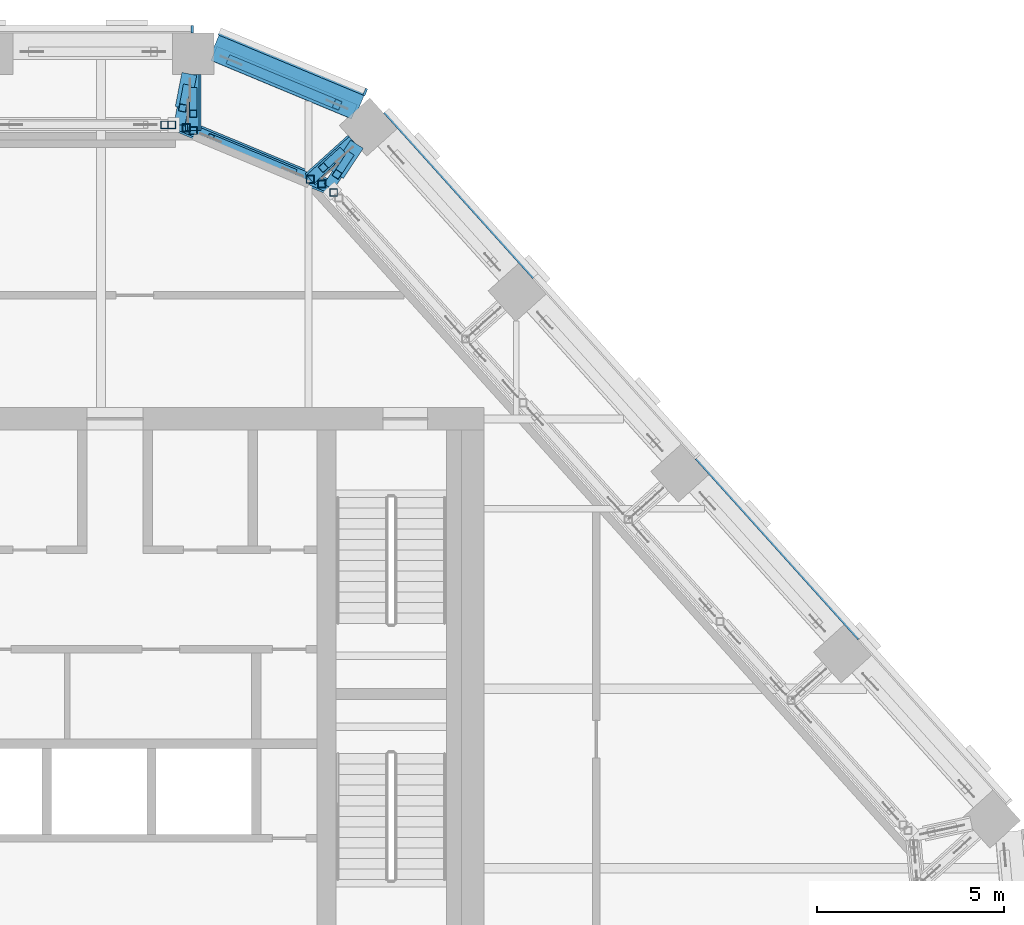
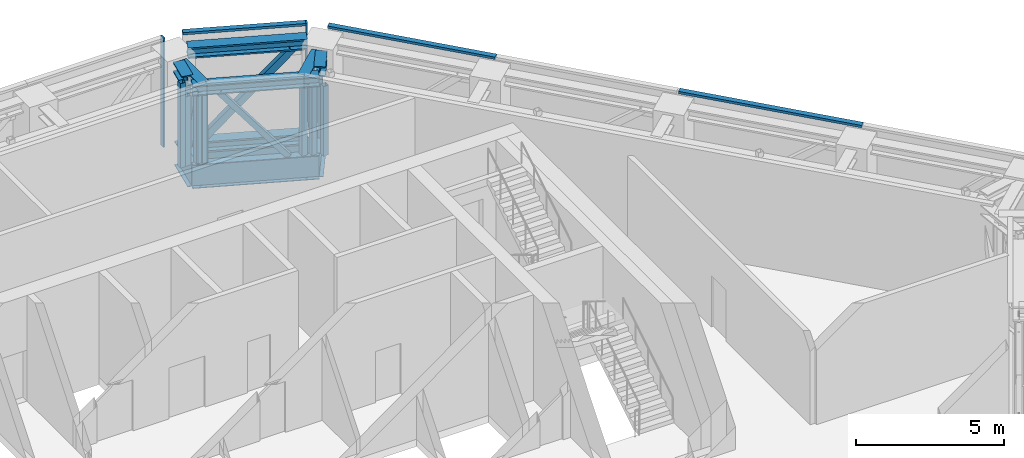
# One storey, part 15 of 25: 30 members, 1 beam, 3 elements without a shape of their own.
"""IFC4 building model written with IfcOpenShell, lengths in metres."""

import ifcopenshell
import ifcopenshell.guid

model = None  # the IFC model being written
_history = None  # IfcOwnerHistory: only IFC2X3 demands one
_inside = {}  # id of a spatial element -> (the spatial element, [elements in it])
_under = {}  # id of a project, library or spatial element -> (it, [spatial elements below it])
_declared = {}  # id of a project -> (the project, [libraries it declares])
_typed = {}  # id of a type object -> (the type object, [elements of that type])
_made_of = {}  # id of a material, layer set ... -> (it, [elements and type objects made of it])


def new_model(schema):
    """Start an empty IFC model of exactly this schema.

    Asked for "IFC4X3", IfcOpenShell would pick the latest addendum, in which some entities
    have other attributes; the version numbers below select the first issue.
    IFC2X3 requires an IfcOwnerHistory on every rooted entity: one is made here for all.
    """
    global model, _history
    if schema == "IFC4X3":
        model = ifcopenshell.file(schema_version=(4, 3, 0, 0))
    else:
        model = ifcopenshell.file(schema=schema)
    _inside.clear()
    _under.clear()
    _declared.clear()
    _typed.clear()
    _made_of.clear()
    _history = None
    if model.schema == "IFC2X3":
        org = make("IfcOrganization", Name="unknown")
        user = make(
            "IfcPersonAndOrganization",
            ThePerson=make("IfcPerson", FamilyName="unknown"),
            TheOrganization=org,
        )
        app = make(
            "IfcApplication",
            ApplicationDeveloper=org,
            Version="unknown",
            ApplicationFullName="unknown",
            ApplicationIdentifier="unknown",
        )
        _history = make(
            "IfcOwnerHistory",
            OwningUser=user,
            OwningApplication=app,
            ChangeAction="ADDED",
            CreationDate=0,
        )
    return model


def make(cls, **values):
    """One entity of the class cls with the attributes given. An attribute that is None is left unset."""
    return model.create_entity(
        cls, **{name: value for name, value in values.items() if value is not None}
    )


def rooted(cls, **values):
    """An entity with a GlobalId (a new one), such as an element, a storey or a relation."""
    return make(cls, GlobalId=ifcopenshell.guid.new(), OwnerHistory=_history, **values)


def si_unit(unit_type, name, prefix=None):
    """IfcSIUnit, for example si_unit("LENGTHUNIT", "METRE", prefix="MILLI")."""
    return make("IfcSIUnit", UnitType=unit_type, Prefix=prefix, Name=name)


def assignment(units):
    """IfcUnitAssignment: the units of a project."""
    return None if units is None else make("IfcUnitAssignment", Units=units)


def point(xyz):
    """IfcCartesianPoint."""
    return None if xyz is None else make("IfcCartesianPoint", Coordinates=xyz)


def direction(xyz):
    """IfcDirection."""
    return None if xyz is None else make("IfcDirection", DirectionRatios=xyz)


def frame(location, z_axis=None, x_axis=None):
    """IfcAxis2Placement3D, a coordinate frame: its origin and axes. An axis left out is left unset."""
    return make(
        "IfcAxis2Placement3D",
        Location=point(location),
        Axis=direction(z_axis),
        RefDirection=direction(x_axis),
    )


def frame_2d(location, x_axis=None):
    """IfcAxis2Placement2D, a coordinate frame in the plane: its origin and x axis."""
    return make(
        "IfcAxis2Placement2D", Location=point(location), RefDirection=direction(x_axis)
    )


def origin():
    """The frame at (0, 0, 0) with its axes left unset."""
    return frame((0.0, 0.0, 0.0))


def origin_2d():
    """The frame at (0, 0) in the plane with its x axis left unset."""
    return frame_2d((0.0, 0.0))


def place(relative_to, where):
    """IfcLocalPlacement: puts the frame where relative to a parent placement (None: the world)."""
    return make(
        "IfcLocalPlacement", PlacementRelTo=relative_to, RelativePlacement=where
    )


def context(
    kind, dimensions, precision=None, world=None, true_north=None, identifier=None
):
    """IfcGeometricRepresentationContext, for example the 3D "Model" context."""
    return make(
        "IfcGeometricRepresentationContext",
        ContextIdentifier=identifier,
        ContextType=kind,
        CoordinateSpaceDimension=dimensions,
        Precision=precision,
        WorldCoordinateSystem=world,
        TrueNorth=true_north,
    )


def subcontext(parent, identifier, kind, view, scale=None):
    """IfcGeometricRepresentationSubContext, for example "Body" below "Model"."""
    return make(
        "IfcGeometricRepresentationSubContext",
        ContextIdentifier=identifier,
        ContextType=kind,
        ParentContext=parent,
        TargetScale=scale,
        TargetView=view,
    )


def project(units=None, contexts=None):
    """IfcProject with its units and contexts."""
    return rooted(
        "IfcProject",
        Name="project",
        RepresentationContexts=contexts,
        UnitsInContext=assignment(units),
    )


def spatial(cls, under=None, at=None, **own):
    """A site, building, storey or space (cls), placed at a placement, below another one or the project."""
    s = rooted(cls, ObjectPlacement=at, **own)
    if under is not None:
        _under.setdefault(under.id(), (under, []))[1].append(s)
    return s


def profile(cls, at=None, kind="AREA", **sizes):
    """A parametric profile (cls). Its sizes go by their IFC names, for example OverallWidth=200.0."""
    return make(cls, ProfileType=kind, Position=at, **sizes)


def rectangle(**sizes):
    """IfcRectangleProfileDef."""
    return profile("IfcRectangleProfileDef", **sizes)


def hollow_rectangle(**sizes):
    """IfcRectangleHollowProfileDef."""
    return profile("IfcRectangleHollowProfileDef", **sizes)


def i_section(**sizes):
    """IfcIShapeProfileDef."""
    return profile("IfcIShapeProfileDef", **sizes)


def extrude(swept, where, along, depth):
    """IfcExtrudedAreaSolid: the profile swept, set in the frame where, extruded along a direction by depth."""
    return make(
        "IfcExtrudedAreaSolid",
        SweptArea=swept,
        Position=where,
        ExtrudedDirection=direction(along),
        Depth=depth,
    )


def shape(context_of_items, identifier, shape_type, items):
    """IfcShapeRepresentation: the items that make up one representation, for example the "Body"."""
    return make(
        "IfcShapeRepresentation",
        ContextOfItems=context_of_items,
        RepresentationIdentifier=identifier,
        RepresentationType=shape_type,
        Items=items,
    )


def material(Name=None, Category=None):
    """IfcMaterial."""
    return make("IfcMaterial", Name=Name, Category=Category)


def layer(
    of_material, thickness, ventilated=None, Name=None, Category=None, Priority=None
):
    """IfcMaterialLayer: one layer of a wall or slab, of a material (None: an air gap)."""
    return make(
        "IfcMaterialLayer",
        Material=of_material,
        LayerThickness=thickness,
        IsVentilated=ventilated,
        Name=Name,
        Category=Category,
        Priority=Priority,
    )


def layer_set(layers, Name=None):
    """IfcMaterialLayerSet."""
    return make("IfcMaterialLayerSet", MaterialLayers=layers, LayerSetName=Name)


def material_profile(
    of_material, cross_section, Name=None, Category=None, Priority=None
):
    """IfcMaterialProfile: a cross section and its material."""
    return make(
        "IfcMaterialProfile",
        Name=Name,
        Material=of_material,
        Profile=cross_section,
        Priority=Priority,
        Category=Category,
    )


def profile_set(profiles, Name=None, composite=None):
    """IfcMaterialProfileSet."""
    return make(
        "IfcMaterialProfileSet",
        Name=Name,
        MaterialProfiles=profiles,
        CompositeProfile=composite,
    )


def made_of(thing, what):
    """Note that an element or type object is made of a material, layer set ...; save() writes the relation."""
    if what is not None:
        _made_of.setdefault(what.id(), (what, []))[1].append(thing)
    return thing


def type_object(cls, material=None, **own):
    """A type object (cls), such as IfcWallType, which elements share."""
    return made_of(rooted(cls, **own), material)


def element(
    cls,
    number,
    at=None,
    inside=None,
    cuts=None,
    type_object=None,
    material=None,
    context=None,
    identifier="Body",
    shape_type=None,
    held_by="IfcProductDefinitionShape",
    body=None,
    shapes=None,
    **own,
):
    """One element of the class cls, such as IfcWall. Its Tag is "e" and its number.

    at: its placement. inside: the storey or other place that contains it. cuts: it is an
    opening in that element (IfcRelVoidsElement). A single representation is given by context,
    identifier, shape_type and body (its items); several are given by shapes. held_by: the class
    of the entity that holds the representations. save() writes the other relations.
    """
    e = rooted(cls, Tag="e%d" % number, ObjectPlacement=at, **own)
    if body is not None:
        shapes = [shape(context, identifier, shape_type, body)]
    if shapes is not None:
        e.Representation = make(held_by, Representations=shapes)
    if inside is not None:
        _inside.setdefault(inside.id(), (inside, []))[1].append(e)
    if cuts is not None:
        rooted(
            "IfcRelVoidsElement", RelatingBuildingElement=cuts, RelatedOpeningElement=e
        )
    if type_object is not None:
        _typed.setdefault(type_object.id(), (type_object, []))[1].append(e)
    return made_of(e, material)


def aggregate(whole, parts):
    """IfcRelAggregates: a whole, such as a stair, and the parts it consists of."""
    return rooted("IfcRelAggregates", RelatingObject=whole, RelatedObjects=parts)


def save(model, path):
    """Write the relations noted so far, then the file.

    IfcRelAggregates (storeys below a building ...), IfcRelContainedInSpatialStructure (elements
    in a storey), IfcRelDefinesByType, IfcRelAssociatesMaterial and IfcRelDeclares: one each for
    every whole, place, type object, material and project.
    """
    for whole, parts in _under.values():
        aggregate(whole, parts)
    for where, things in _inside.values():
        rooted(
            "IfcRelContainedInSpatialStructure",
            RelatedElements=things,
            RelatingStructure=where,
        )
    for kind, things in _typed.values():
        rooted("IfcRelDefinesByType", RelatedObjects=things, RelatingType=kind)
    for what, things in _made_of.values():
        rooted("IfcRelAssociatesMaterial", RelatedObjects=things, RelatingMaterial=what)
    for by, libraries in _declared.values():
        rooted("IfcRelDeclares", RelatingContext=by, RelatedDefinitions=libraries)
    model.write(path)


model = new_model("IFC4")

# Units and contexts
model_context = context("Model", 3, precision=1e-05, world=origin(), true_north=direction((0.0, 1.0)))
body_context = subcontext(model_context, "Body", "Model", "MODEL_VIEW")
ifc_project = project(units=[si_unit("LENGTHUNIT", "METRE"), si_unit("AREAUNIT", "SQUARE_METRE"), si_unit("VOLUMEUNIT", "CUBIC_METRE"), si_unit("PLANEANGLEUNIT", "RADIAN"), si_unit("MASSUNIT", "GRAM", prefix="KILO")], contexts=[model_context])

# Site, building, storey
site_placement = place(None, origin())
site = spatial("IfcSite", under=ifc_project, at=site_placement, CompositionType="ELEMENT")
building_placement = place(site_placement, origin())
building = spatial("IfcBuilding", under=site, at=building_placement, Name="Isthmus Gate Tower", CompositionType="ELEMENT")
storey_placement = place(building_placement, frame((0.0, 0.0, 256.449951171875)))
storey = spatial("IfcBuildingStorey", under=building, at=storey_placement, Name="L65", CompositionType="ELEMENT", Elevation=256.449951171875)

# Members
ifc_material_1 = material(Name="Structural steel ASTM A913 Gr 65", Category="steel")
ifc_material_profile_1 = material_profile(ifc_material_1, i_section(OverallWidth=0.416015625, OverallDepth=0.444580078125, WebThickness=0.039794921875, FlangeThickness=0.0634765625, at=origin_2d()), Name="W14X342")
ifc_profile_set_1 = profile_set([ifc_material_profile_1], Name="Structural steel ASTM A913 Gr 65")
member_type_1 = type_object("IfcMemberType", Name="BELT TRUSS CHORD W14X342", PredefinedType="CHORD", material=ifc_profile_set_1)
for number, where, z_axis, x_axis, name in (
    (1, (7.791015625, 24.45849609375, 0.222412109375), (0.923361088964, -0.383932675591, 0.0), (0.383932675591, 0.923361088964, 0.0), "str-belt00-L65-01"),
    (2, (7.791015625, 24.45849609375, 4.127685546875), (0.923361088964, -0.383932675591, 0.0), (0.383932675591, 0.923361088964, 0.0), "str-belt00-L65-02"),
):
    element("IfcMember", number, at=place(storey_placement, frame(where, z_axis=z_axis, x_axis=x_axis)), inside=storey, type_object=member_type_1, Name=name, PredefinedType="CHORD", context=body_context, shape_type="SweptSolid", body=[
        extrude(i_section(OverallWidth=0.416015625, OverallDepth=0.444580078125, WebThickness=0.039794921875, FlangeThickness=0.0634765625, at=origin_2d()), origin(), (0.0, 0.0, 1.0), 4.0634765625),
    ])

# Curtain wall, member
ifc_material_2 = material(Name="Aluminium, pale champagne anodised", Category="aluminium")
ifc_layer = layer(ifc_material_2, 0.199951171875)
ifc_layer_set = layer_set([ifc_layer], Name="CW-2 LOUVRE CURTAIN WALL 200 DEEP")
curtain_wall_type = type_object("IfcCurtainWallType", Name="CW-2 LOUVRE CURTAIN WALL 200 DEEP", PredefinedType="NOTDEFINED", material=ifc_layer_set)
curtain_wall_1_placement = place(storey_placement, origin())
curtain_wall_1 = element("IfcCurtainWall", 3, at=curtain_wall_1_placement, inside=storey, type_object=curtain_wall_type, Name="CW-2 N L65", PredefinedType="NOTDEFINED")
ifc_material_3 = material(Name="Aluminium, pale champagne anodised", Category="aluminium")
ifc_material_profile_2 = material_profile(ifc_material_3, rectangle(XDim=0.06005859375, YDim=0.199951171875, at=origin_2d()), Name="60x200")
ifc_profile_set_2 = profile_set([ifc_material_profile_2], Name="Aluminium, pale champagne anodised")
member_type_2 = type_object("IfcMemberType", Name="CW-2 MULLION 60 X 200", PredefinedType="MULLION", material=ifc_profile_set_2)
member_1_placement = place(storey_placement, frame((7.211181640625, 25.10009765625, 0.0), z_axis=(0.0, 0.0, 1.0), x_axis=(-1.0, 0.0, 0.0)))
member_1 = element("IfcMember", 4, at=member_1_placement, type_object=member_type_2, Name="CW-2 mullion", PredefinedType="MULLION", context=body_context, shape_type="SweptSolid", body=[
    extrude(rectangle(XDim=0.06005859375, YDim=0.199951171875, at=origin_2d()), origin(), (0.0, 0.0, 1.0), 4.5),
])
aggregate(curtain_wall_1, [member_1])

curtain_wall_2_placement = place(storey_placement, origin())
curtain_wall_2 = element("IfcCurtainWall", 5, at=curtain_wall_2_placement, inside=storey, type_object=curtain_wall_type, Name="CW-2 NE-N L65", PredefinedType="NOTDEFINED")
member_2_placement = place(storey_placement, frame((11.83349609375, 23.427490234375, 0.0), z_axis=(0.0, 0.0, 1.0), x_axis=(-0.923353128387, 0.383951820282, 0.0)))
member_2 = element("IfcMember", 6, at=member_2_placement, type_object=member_type_2, Name="CW-2 mullion", PredefinedType="MULLION", context=body_context, shape_type="SweptSolid", body=[
    extrude(rectangle(XDim=0.06005859375, YDim=0.199951171875, at=origin_2d()), origin(), (0.0, 0.0, 1.0), 4.5),
])

# Curtain wall, members
curtain_wall_3_placement = place(storey_placement, origin())
curtain_wall_3 = element("IfcCurtainWall", 7, at=curtain_wall_3_placement, inside=storey, type_object=curtain_wall_type, Name="CW-2 NE L65", PredefinedType="NOTDEFINED")
ifc_material_4 = material(Name="Aluminium, pale champagne anodised", Category="aluminium")
ifc_material_profile_3 = material_profile(ifc_material_4, rectangle(XDim=0.199951171875, YDim=0.10009765625, at=origin_2d()), Name="200x100")
ifc_profile_set_3 = profile_set([ifc_material_profile_3], Name="Aluminium, pale champagne anodised")
member_type_3 = type_object("IfcMemberType", Name="CW-2 TRANSOM 200 X 100", PredefinedType="USERDEFINED", material=ifc_profile_set_3)
member_3_placement = place(storey_placement, frame((25.060302734375, 8.862548828125, 4.449951171875), z_axis=(-0.669112239491, 0.743161362668, 0.0), x_axis=(-0.743161362668, -0.669112239491, 0.0)))
member_3 = element("IfcMember", 8, at=member_3_placement, type_object=member_type_3, Name="CW-2 transom", ObjectType="TRANSOM", PredefinedType="USERDEFINED", context=body_context, shape_type="SweptSolid", body=[
    extrude(rectangle(XDim=0.199951171875, YDim=0.10009765625, at=origin_2d()), origin(), (0.0, 0.0, 1.0), 6.49169921875),
])
member_4_placement = place(storey_placement, frame((16.37255859375, 18.51123046875, 4.449951171875), z_axis=(-0.669116811031, 0.743157246615, 0.0), x_axis=(-0.743157246615, -0.669116811031, 0.0)))
member_4 = element("IfcMember", 9, at=member_4_placement, type_object=member_type_3, Name="CW-2 transom", ObjectType="TRANSOM", PredefinedType="USERDEFINED", context=body_context, shape_type="SweptSolid", body=[
    extrude(rectangle(XDim=0.199951171875, YDim=0.10009765625, at=origin_2d()), origin(), (0.0, 0.0, 1.0), 5.94189453125),
])
aggregate(curtain_wall_3, [member_3, member_4])

# Member
member_5_placement = place(storey_placement, frame((11.8056640625, 23.43896484375, 4.449951171875), z_axis=(-0.923358236369, 0.383939536033, 0.0), x_axis=(-0.383939536033, -0.923358236369, 0.0)))
member_5 = element("IfcMember", 10, at=member_5_placement, type_object=member_type_3, Name="CW-2 transom", ObjectType="TRANSOM", PredefinedType="USERDEFINED", context=body_context, shape_type="SweptSolid", body=[
    extrude(rectangle(XDim=0.199951171875, YDim=0.10009765625, at=origin_2d()), origin(), (0.0, 0.0, 1.0), 4.181640625),
])

aggregate(curtain_wall_2, [member_2, member_5])

# Beam
ifc_material_5 = material(Name="Concrete f'c 50 MPa", Category="concrete")
ifc_material_profile_4 = material_profile(ifc_material_5, rectangle(XDim=0.699951171875, YDim=0.800048828125, at=origin_2d()), Name="RC 700X800")
ifc_profile_set_4 = profile_set([ifc_material_profile_4], Name="Concrete f'c 50 MPa")
beam_type = type_object("IfcBeamType", Name="RC SPANDREL 700 X 800", PredefinedType="SPANDREL", material=ifc_profile_set_4)
beam_placement = place(storey_placement, frame((7.791015625, 24.620849609375, -0.39990234375), z_axis=(0.923360646135, -0.383933740597, 0.0), x_axis=(0.383933740597, 0.923360646135, 0.0)))
element("IfcBeam", 11, at=beam_placement, inside=storey, type_object=beam_type, Name="str-spandrel-L65-00", PredefinedType="SPANDREL", context=body_context, shape_type="SweptSolid", body=[
    extrude(rectangle(XDim=0.699951171875, YDim=0.800048828125, at=origin_2d()), origin(), (0.0, 0.0, 1.0), 4.19677734375),
])

# Members
ifc_material_6 = material(Name="Structural steel ASTM A913 Gr 65", Category="steel")
ifc_material_profile_5 = material_profile(ifc_material_6, i_section(OverallWidth=0.4033203125, OverallDepth=0.406494140625, WebThickness=0.027099609375, FlangeThickness=0.04443359375, at=origin_2d()), Name="W14X233")
ifc_profile_set_5 = profile_set([ifc_material_profile_5], Name="Structural steel ASTM A913 Gr 65")
member_type_4 = type_object("IfcMemberType", Name="TRANSFER TRUSS CHORD W14X233", PredefinedType="CHORD", material=ifc_profile_set_5)
member_6_placement = place(storey_placement, frame((6.86962890625, 22.550048828125, 4.046875), z_axis=(0.923352727415, -0.383952784564, 0.0), x_axis=(0.383952784564, 0.923352727415, 0.0)))
element("IfcMember", 12, at=member_6_placement, inside=storey, type_object=member_type_4, Name="str-ring00-L65-06", PredefinedType="CHORD", context=body_context, shape_type="SweptSolid", body=[
    extrude(i_section(OverallWidth=0.4033203125, OverallDepth=0.406494140625, WebThickness=0.027099609375, FlangeThickness=0.04443359375, at=origin_2d()), origin(), (0.0, 0.0, 1.0), 4.3173828125),
])
member_7_placement = place(storey_placement, frame((7.2412109375, 23.89990234375, 4.046875), z_axis=(0.0, -1.0, 0.0), x_axis=(1.0, 0.0, 0.0)))
element("IfcMember", 13, at=member_7_placement, inside=storey, type_object=member_type_4, Name="str-link00-L65-02", PredefinedType="CHORD", context=body_context, shape_type="SweptSolid", body=[
    extrude(i_section(OverallWidth=0.4033203125, OverallDepth=0.406494140625, WebThickness=0.027099609375, FlangeThickness=0.04443359375, at=origin_2d()), origin(), (0.0, 0.0, 1.0), 1.50439453125),
])
member_8_placement = place(storey_placement, frame((11.5048828125, 22.1240234375, 4.046875), z_axis=(-0.743120123687, -0.669158039458, 0.0), x_axis=(0.669158039458, -0.743120123687, 0.0)))
element("IfcMember", 14, at=member_8_placement, inside=storey, type_object=member_type_4, Name="str-link29-L65-02", PredefinedType="CHORD", context=body_context, shape_type="SweptSolid", body=[
    extrude(i_section(OverallWidth=0.4033203125, OverallDepth=0.406494140625, WebThickness=0.027099609375, FlangeThickness=0.04443359375, at=origin_2d()), origin(), (0.0, 0.0, 1.0), 1.534912109375),
])
member_9_placement = place(storey_placement, frame((7.135498046875, 23.91015625, 4.046875), z_axis=(-0.191912390763, -0.981412061405, 0.0), x_axis=(0.981412061405, -0.191912390763, 0.0)))
element("IfcMember", 15, at=member_9_placement, inside=storey, type_object=member_type_4, Name="str-link30-L65-02", PredefinedType="CHORD", context=body_context, shape_type="SweptSolid", body=[
    extrude(i_section(OverallWidth=0.4033203125, OverallDepth=0.406494140625, WebThickness=0.027099609375, FlangeThickness=0.04443359375, at=origin_2d()), origin(), (0.0, 0.0, 1.0), 0.927490234375),
])
member_10_placement = place(storey_placement, frame((11.6103515625, 22.033203125, 4.046875), z_axis=(-0.551537648185, -0.834150000081, 0.0), x_axis=(0.834150000081, -0.551537648185, 0.0)))
element("IfcMember", 16, at=member_10_placement, inside=storey, type_object=member_type_4, Name="str-link31-L65-02", PredefinedType="CHORD", context=body_context, shape_type="SweptSolid", body=[
    extrude(i_section(OverallWidth=0.4033203125, OverallDepth=0.406494140625, WebThickness=0.027099609375, FlangeThickness=0.04443359375, at=origin_2d()), origin(), (0.0, 0.0, 1.0), 0.963134765625),
])
ifc_material_7 = material(Name="Structural steel ASTM A913 Gr 65", Category="steel")
ifc_material_profile_6 = material_profile(ifc_material_7, i_section(OverallWidth=0.29833984375, OverallDepth=0.981201171875, WebThickness=0.015869140625, FlangeThickness=0.025390625, at=origin_2d()), Name="W40X167")
ifc_profile_set_6 = profile_set([ifc_material_profile_6], Name="Structural steel ASTM A913 Gr 65")
member_type_5 = type_object("IfcMemberType", Name="TRANSFER TRUSS CHORD W40X167", PredefinedType="CHORD", material=ifc_profile_set_6)
member_11_placement = place(storey_placement, frame((6.86962890625, 22.550048828125, 0.490478515625), z_axis=(0.923352727415, -0.383952784564, 0.0), x_axis=(0.383952784564, 0.923352727415, 0.0)))
element("IfcMember", 17, at=member_11_placement, inside=storey, type_object=member_type_5, Name="str-ring00-L65-05", PredefinedType="CHORD", context=body_context, shape_type="SweptSolid", body=[
    extrude(i_section(OverallWidth=0.29833984375, OverallDepth=0.981201171875, WebThickness=0.015869140625, FlangeThickness=0.025390625, at=origin_2d()), origin(), (0.0, 0.0, 1.0), 4.3173828125),
])
member_12_placement = place(storey_placement, frame((7.2412109375, 23.89990234375, 0.490478515625), z_axis=(0.0, -1.0, 0.0), x_axis=(1.0, 0.0, 0.0)))
element("IfcMember", 18, at=member_12_placement, inside=storey, type_object=member_type_5, Name="str-link00-L65-01", PredefinedType="CHORD", context=body_context, shape_type="SweptSolid", body=[
    extrude(i_section(OverallWidth=0.29833984375, OverallDepth=0.981201171875, WebThickness=0.015869140625, FlangeThickness=0.025390625, at=origin_2d()), origin(), (0.0, 0.0, 1.0), 1.50439453125),
])
member_13_placement = place(storey_placement, frame((11.5048828125, 22.1240234375, 0.490478515625), z_axis=(-0.743120123687, -0.669158039458, 0.0), x_axis=(0.669158039458, -0.743120123687, 0.0)))
element("IfcMember", 19, at=member_13_placement, inside=storey, type_object=member_type_5, Name="str-link29-L65-01", PredefinedType="CHORD", context=body_context, shape_type="SweptSolid", body=[
    extrude(i_section(OverallWidth=0.29833984375, OverallDepth=0.981201171875, WebThickness=0.015869140625, FlangeThickness=0.025390625, at=origin_2d()), origin(), (0.0, 0.0, 1.0), 1.534912109375),
])
member_14_placement = place(storey_placement, frame((7.135498046875, 23.91015625, 0.490478515625), z_axis=(-0.191845620376, -0.98142511581, 0.0), x_axis=(0.98142511581, -0.191845620376, 0.0)))
element("IfcMember", 20, at=member_14_placement, inside=storey, type_object=member_type_5, Name="str-link30-L65-01", PredefinedType="CHORD", context=body_context, shape_type="SweptSolid", body=[
    extrude(i_section(OverallWidth=0.29833984375, OverallDepth=0.981201171875, WebThickness=0.015869140625, FlangeThickness=0.025390625, at=origin_2d()), origin(), (0.0, 0.0, 1.0), 1.3857421875),
])
member_15_placement = place(storey_placement, frame((11.6103515625, 22.033203125, 0.490478515625), z_axis=(-0.551441436391, -0.834213607076, 0.0), x_axis=(0.834213607076, -0.551441436391, 0.0)))
element("IfcMember", 21, at=member_15_placement, inside=storey, type_object=member_type_5, Name="str-link31-L65-01", PredefinedType="CHORD", context=body_context, shape_type="SweptSolid", body=[
    extrude(i_section(OverallWidth=0.29833984375, OverallDepth=0.981201171875, WebThickness=0.015869140625, FlangeThickness=0.025390625, at=origin_2d()), origin(), (0.0, 0.0, 1.0), 1.36767578125),
])
ifc_material_8 = material(Name="Structural steel ASTM A500 Gr C", Category="steel")
ifc_material_profile_7 = material_profile(ifc_material_8, hollow_rectangle(XDim=0.203125, YDim=0.203125, WallThickness=0.01171875, at=origin_2d()), Name="HSS8X8X1/2")
ifc_profile_set_7 = profile_set([ifc_material_profile_7], Name="Structural steel ASTM A500 Gr C")
member_type_6 = type_object("IfcMemberType", Name="TRANSFER TRUSS DIAGONAL HSS8X8X1/2", PredefinedType="BRACE", material=ifc_profile_set_7)
member_16_placement = place(storey_placement, frame((9.90283203125, 21.288818359375, 0.981201171875), z_axis=(-0.590778538411, 0.245606033887, 0.768543033715), x_axis=(-0.38388053187, -0.923382768548, 0.0)))
element("IfcMember", 22, at=member_16_placement, inside=storey, type_object=member_type_6, Name="str-ring00-L65-07", PredefinedType="BRACE", context=body_context, shape_type="SweptSolid", body=[
    extrude(hollow_rectangle(XDim=0.203125, YDim=0.203125, WallThickness=0.01171875, at=origin_2d()), origin(), (0.0, 0.0, 1.0), 3.724609375),
])
for number, where, z_axis, x_axis, name in (
    (23, (7.2412109375, 23.44775390625, 0.981201171875), (0.0, -0.205177444435, 0.978724790886), (1.0, 0.0, 0.0), "str-link00-L65-03"),
    (24, (11.157470703125, 21.811279296875, 0.981201171875), (-0.15242307695, -0.137314327263, 0.978729779429), (0.669324329846, -0.742970350334, 0.0), "str-link29-L65-03"),
):
    element("IfcMember", number, at=place(storey_placement, frame(where, z_axis=z_axis, x_axis=x_axis)), inside=storey, type_object=member_type_6, Name=name, PredefinedType="BRACE", context=body_context, shape_type="SweptSolid", body=[
        extrude(hollow_rectangle(XDim=0.203125, YDim=0.203125, WallThickness=0.01171875, at=origin_2d()), origin(), (0.0, 0.0, 1.0), 2.9248046875),
    ])
member_17_placement = place(storey_placement, frame((7.06005859375, 23.5244140625, 0.981201171875), z_axis=(-0.035212660402, -0.180087606057, 0.983020102893), x_axis=(0.981415108271, -0.19189680888, 0.0)))
element("IfcMember", 25, at=member_17_placement, inside=storey, type_object=member_type_6, Name="str-link30-L65-03", PredefinedType="BRACE", context=body_context, shape_type="SweptSolid", body=[
    extrude(hollow_rectangle(XDim=0.203125, YDim=0.203125, WallThickness=0.01171875, at=origin_2d()), origin(), (0.0, 0.0, 1.0), 2.912109375),
])
member_18_placement = place(storey_placement, frame((11.398681640625, 21.713134765625, 0.981201171875), z_axis=(-0.109422190672, -0.165512557319, 0.980118552808), x_axis=(0.834183039377, -0.551487676033, 0.0)))
element("IfcMember", 26, at=member_18_placement, inside=storey, type_object=member_type_6, Name="str-link31-L65-03", PredefinedType="BRACE", context=body_context, shape_type="SweptSolid", body=[
    extrude(hollow_rectangle(XDim=0.203125, YDim=0.203125, WallThickness=0.01171875, at=origin_2d()), origin(), (0.0, 0.0, 1.0), 2.920654296875),
])
ifc_material_9 = material(Name="Structural steel ASTM A500 Gr C", Category="steel")
ifc_material_profile_8 = material_profile(ifc_material_9, hollow_rectangle(XDim=0.203125, YDim=0.203125, WallThickness=0.01171875, at=origin_2d()), Name="HSS8X8X1/2")
ifc_profile_set_8 = profile_set([ifc_material_profile_8], Name="Structural steel ASTM A500 Gr C")
member_type_7 = type_object("IfcMemberType", Name="TRANSFER TRUSS POST HSS8X8X1/2", PredefinedType="POST", material=ifc_profile_set_8)
for number, where, z_axis, x_axis, name in (
    (27, (7.05419921875, 22.47314453125, 0.981201171875), (0.0, 0.0, 1.0), (1.0, 0.0, 0.0), "str-ring00-L65-01"),
    (28, (7.24072265625, 22.395751953125, 0.981201171875), (0.0, 0.0, 1.0), (1.0, 0.0, 0.0), "str-ring00-L65-02"),
    (29, (10.364501953125, 21.0966796875, 0.981201171875), (0.0, 0.0, 1.0), (1.0, 0.0, 0.0), "str-ring00-L65-03"),
    (30, (10.671875, 20.968994140625, 0.981201171875), (0.0, 0.0, 1.0), (1.0, 0.0, 0.0), "str-ring00-L65-04"),
    (31, (10.989990234375, 20.74365234375, 0.981201171875), (0.0, 0.0, 1.0), (1.0, 0.0, 0.0), "str-ring01-L65-01"),
):
    element("IfcMember", number, at=place(storey_placement, frame(where, z_axis=z_axis, x_axis=x_axis)), inside=storey, type_object=member_type_7, Name=name, PredefinedType="POST", context=body_context, shape_type="SweptSolid", body=[
        extrude(hollow_rectangle(XDim=0.203125, YDim=0.203125, WallThickness=0.01171875, at=origin_2d()), origin(), (0.0, 0.0, 1.0), 2.862548828125),
    ])
member_19_placement = place(storey_placement, frame((6.46923828125, 22.550048828125, 0.981201171875), z_axis=(0.0, 0.0, 1.0), x_axis=(1.0, 0.0, 0.0)))
element("IfcMember", 32, at=member_19_placement, inside=storey, type_object=member_type_7, Name="str-ring11-L65-08", PredefinedType="POST", context=body_context, shape_type="SweptSolid", body=[
    extrude(hollow_rectangle(XDim=0.203125, YDim=0.203125, WallThickness=0.01171875, at=origin_2d()), origin(), (0.0, 0.0, 1.0), 3.46875),
])
member_20_placement = place(storey_placement, frame((6.669189453125, 22.550048828125, 0.981201171875), z_axis=(0.0, 0.0, 1.0), x_axis=(1.0, 0.0, 0.0)))
element("IfcMember", 33, at=member_20_placement, inside=storey, type_object=member_type_7, Name="str-ring11-L65-09", PredefinedType="POST", context=body_context, shape_type="SweptSolid", body=[
    extrude(hollow_rectangle(XDim=0.203125, YDim=0.203125, WallThickness=0.01171875, at=origin_2d()), origin(), (0.0, 0.0, 1.0), 2.862548828125),
])
ifc_material_10 = material(Name="Structural steel ASTM A500 Gr C", Category="steel")
ifc_material_profile_9 = material_profile(ifc_material_10, hollow_rectangle(XDim=0.25390625, YDim=0.25390625, WallThickness=0.01171875, at=origin_2d()), Name="HSS10X10X1/2")
ifc_profile_set_9 = profile_set([ifc_material_profile_9], Name="Structural steel ASTM A500 Gr C")
member_type_8 = type_object("IfcMemberType", Name="TRUSS DIAGONAL HSS10X10X1/2", PredefinedType="BRACE", material=ifc_profile_set_9)
member_21_placement = place(storey_placement, frame((8.252685546875, 24.2666015625, 0.444580078125), z_axis=(0.611990924789, -0.254494413571, 0.7487988391), x_axis=(0.383970186146, 0.923345491217, 0.0)))
element("IfcMember", 34, at=member_21_placement, inside=storey, type_object=member_type_8, Name="str-belt00-L65-03", PredefinedType="BRACE", context=body_context, shape_type="SweptSolid", body=[
    extrude(hollow_rectangle(XDim=0.25390625, YDim=0.25390625, WallThickness=0.01171875, at=origin_2d()), origin(), (0.0, 0.0, 1.0), 4.6220703125),
])

save(model, "model.ifc")
